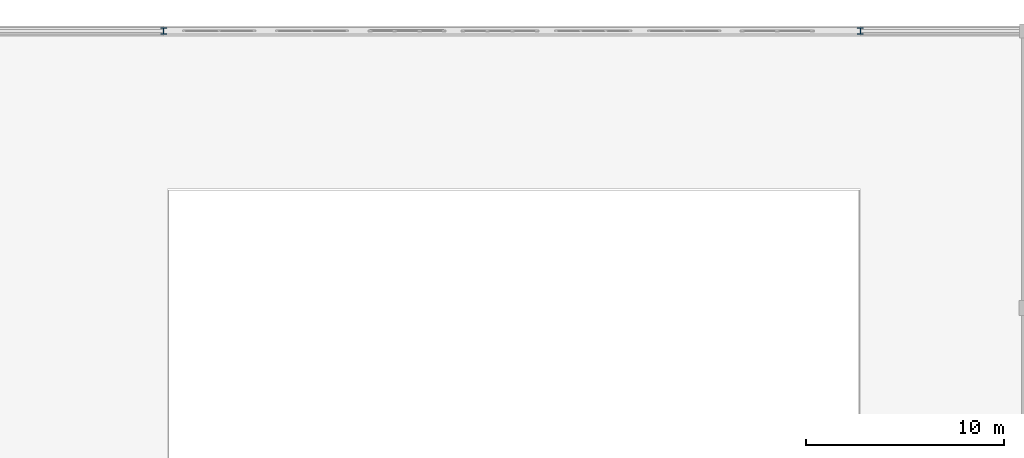
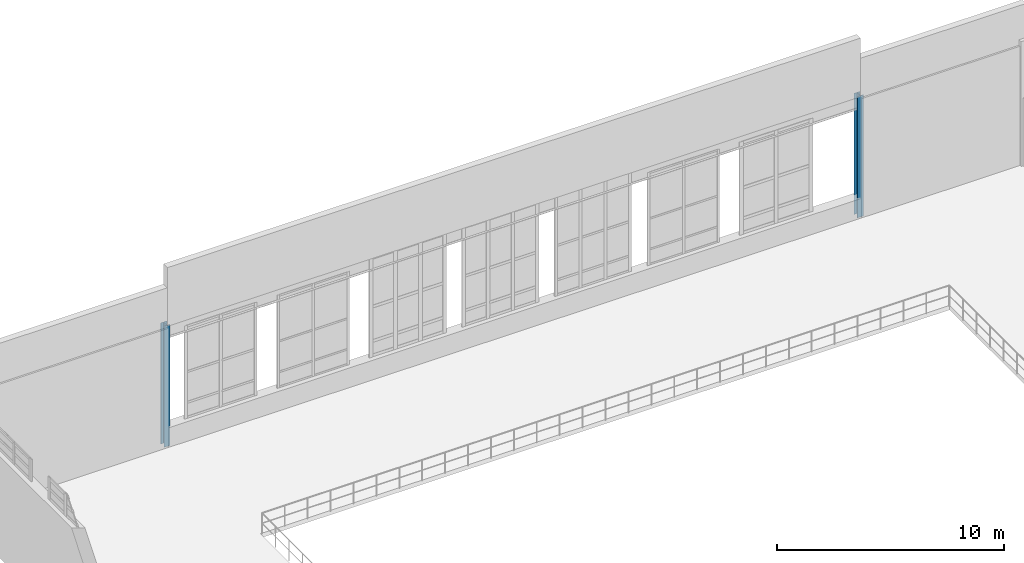
# One storey, part 7 of 197: 2 columns.
"""IFC4 building model written with IfcOpenShell, lengths in metres."""

import ifcopenshell
import ifcopenshell.guid

model = None  # the IFC model being written
_history = None  # IfcOwnerHistory: only IFC2X3 demands one
_inside = {}  # id of a spatial element -> (the spatial element, [elements in it])
_under = {}  # id of a project, library or spatial element -> (it, [spatial elements below it])
_declared = {}  # id of a project -> (the project, [libraries it declares])
_typed = {}  # id of a type object -> (the type object, [elements of that type])
_made_of = {}  # id of a material, layer set ... -> (it, [elements and type objects made of it])


def new_model(schema):
    """Start an empty IFC model of exactly this schema.

    Asked for "IFC4X3", IfcOpenShell would pick the latest addendum, in which some entities
    have other attributes; the version numbers below select the first issue.
    IFC2X3 requires an IfcOwnerHistory on every rooted entity: one is made here for all.
    """
    global model, _history
    if schema == "IFC4X3":
        model = ifcopenshell.file(schema_version=(4, 3, 0, 0))
    else:
        model = ifcopenshell.file(schema=schema)
    _inside.clear()
    _under.clear()
    _declared.clear()
    _typed.clear()
    _made_of.clear()
    _history = None
    if model.schema == "IFC2X3":
        org = make("IfcOrganization", Name="unknown")
        user = make(
            "IfcPersonAndOrganization",
            ThePerson=make("IfcPerson", FamilyName="unknown"),
            TheOrganization=org,
        )
        app = make(
            "IfcApplication",
            ApplicationDeveloper=org,
            Version="unknown",
            ApplicationFullName="unknown",
            ApplicationIdentifier="unknown",
        )
        _history = make(
            "IfcOwnerHistory",
            OwningUser=user,
            OwningApplication=app,
            ChangeAction="ADDED",
            CreationDate=0,
        )
    return model


def make(cls, **values):
    """One entity of the class cls with the attributes given. An attribute that is None is left unset."""
    return model.create_entity(
        cls, **{name: value for name, value in values.items() if value is not None}
    )


def rooted(cls, **values):
    """An entity with a GlobalId (a new one), such as an element, a storey or a relation."""
    return make(cls, GlobalId=ifcopenshell.guid.new(), OwnerHistory=_history, **values)


def si_unit(unit_type, name, prefix=None):
    """IfcSIUnit, for example si_unit("LENGTHUNIT", "METRE", prefix="MILLI")."""
    return make("IfcSIUnit", UnitType=unit_type, Prefix=prefix, Name=name)


def derived_unit(unit_type, elements):
    """IfcDerivedUnit: a product of units, each with its exponent."""
    return make(
        "IfcDerivedUnit",
        Elements=[
            make("IfcDerivedUnitElement", Unit=unit, Exponent=power)
            for unit, power in elements
        ],
        UnitType=unit_type,
    )


def assignment(units):
    """IfcUnitAssignment: the units of a project."""
    return None if units is None else make("IfcUnitAssignment", Units=units)


def point(xyz):
    """IfcCartesianPoint."""
    return None if xyz is None else make("IfcCartesianPoint", Coordinates=xyz)


def direction(xyz):
    """IfcDirection."""
    return None if xyz is None else make("IfcDirection", DirectionRatios=xyz)


def frame(location, z_axis=None, x_axis=None):
    """IfcAxis2Placement3D, a coordinate frame: its origin and axes. An axis left out is left unset."""
    return make(
        "IfcAxis2Placement3D",
        Location=point(location),
        Axis=direction(z_axis),
        RefDirection=direction(x_axis),
    )


def frame_2d(location, x_axis=None):
    """IfcAxis2Placement2D, a coordinate frame in the plane: its origin and x axis."""
    return make(
        "IfcAxis2Placement2D", Location=point(location), RefDirection=direction(x_axis)
    )


def origin():
    """The frame at (0, 0, 0) with its axes left unset."""
    return frame((0.0, 0.0, 0.0))


def origin_2d():
    """The frame at (0, 0) in the plane with its x axis left unset."""
    return frame_2d((0.0, 0.0))


def place(relative_to, where):
    """IfcLocalPlacement: puts the frame where relative to a parent placement (None: the world)."""
    return make(
        "IfcLocalPlacement", PlacementRelTo=relative_to, RelativePlacement=where
    )


def context(
    kind, dimensions, precision=None, world=None, true_north=None, identifier=None
):
    """IfcGeometricRepresentationContext, for example the 3D "Model" context."""
    return make(
        "IfcGeometricRepresentationContext",
        ContextIdentifier=identifier,
        ContextType=kind,
        CoordinateSpaceDimension=dimensions,
        Precision=precision,
        WorldCoordinateSystem=world,
        TrueNorth=true_north,
    )


def subcontext(parent, identifier, kind, view, scale=None):
    """IfcGeometricRepresentationSubContext, for example "Body" below "Model"."""
    return make(
        "IfcGeometricRepresentationSubContext",
        ContextIdentifier=identifier,
        ContextType=kind,
        ParentContext=parent,
        TargetScale=scale,
        TargetView=view,
    )


def project(units=None, contexts=None):
    """IfcProject with its units and contexts."""
    return rooted(
        "IfcProject",
        Name="project",
        RepresentationContexts=contexts,
        UnitsInContext=assignment(units),
    )


def spatial(cls, under=None, at=None, **own):
    """A site, building, storey or space (cls), placed at a placement, below another one or the project."""
    s = rooted(cls, ObjectPlacement=at, **own)
    if under is not None:
        _under.setdefault(under.id(), (under, []))[1].append(s)
    return s


def profile(cls, at=None, kind="AREA", **sizes):
    """A parametric profile (cls). Its sizes go by their IFC names, for example OverallWidth=200.0."""
    return make(cls, ProfileType=kind, Position=at, **sizes)


def i_section(**sizes):
    """IfcIShapeProfileDef."""
    return profile("IfcIShapeProfileDef", **sizes)


def extrude(swept, where, along, depth):
    """IfcExtrudedAreaSolid: the profile swept, set in the frame where, extruded along a direction by depth."""
    return make(
        "IfcExtrudedAreaSolid",
        SweptArea=swept,
        Position=where,
        ExtrudedDirection=direction(along),
        Depth=depth,
    )


def shape(context_of_items, identifier, shape_type, items):
    """IfcShapeRepresentation: the items that make up one representation, for example the "Body"."""
    return make(
        "IfcShapeRepresentation",
        ContextOfItems=context_of_items,
        RepresentationIdentifier=identifier,
        RepresentationType=shape_type,
        Items=items,
    )


def material(Name=None, Category=None):
    """IfcMaterial."""
    return make("IfcMaterial", Name=Name, Category=Category)


def material_profile(
    of_material, cross_section, Name=None, Category=None, Priority=None
):
    """IfcMaterialProfile: a cross section and its material."""
    return make(
        "IfcMaterialProfile",
        Name=Name,
        Material=of_material,
        Profile=cross_section,
        Priority=Priority,
        Category=Category,
    )


def profile_set(profiles, Name=None, composite=None):
    """IfcMaterialProfileSet."""
    return make(
        "IfcMaterialProfileSet",
        Name=Name,
        MaterialProfiles=profiles,
        CompositeProfile=composite,
    )


def made_of(thing, what):
    """Note that an element or type object is made of a material, layer set ...; save() writes the relation."""
    if what is not None:
        _made_of.setdefault(what.id(), (what, []))[1].append(thing)
    return thing


def type_object(cls, material=None, **own):
    """A type object (cls), such as IfcWallType, which elements share."""
    return made_of(rooted(cls, **own), material)


def element(
    cls,
    number,
    at=None,
    inside=None,
    cuts=None,
    type_object=None,
    material=None,
    context=None,
    identifier="Body",
    shape_type=None,
    held_by="IfcProductDefinitionShape",
    body=None,
    shapes=None,
    **own,
):
    """One element of the class cls, such as IfcWall. Its Tag is "e" and its number.

    at: its placement. inside: the storey or other place that contains it. cuts: it is an
    opening in that element (IfcRelVoidsElement). A single representation is given by context,
    identifier, shape_type and body (its items); several are given by shapes. held_by: the class
    of the entity that holds the representations. save() writes the other relations.
    """
    e = rooted(cls, Tag="e%d" % number, ObjectPlacement=at, **own)
    if body is not None:
        shapes = [shape(context, identifier, shape_type, body)]
    if shapes is not None:
        e.Representation = make(held_by, Representations=shapes)
    if inside is not None:
        _inside.setdefault(inside.id(), (inside, []))[1].append(e)
    if cuts is not None:
        rooted(
            "IfcRelVoidsElement", RelatingBuildingElement=cuts, RelatedOpeningElement=e
        )
    if type_object is not None:
        _typed.setdefault(type_object.id(), (type_object, []))[1].append(e)
    return made_of(e, material)


def aggregate(whole, parts):
    """IfcRelAggregates: a whole, such as a stair, and the parts it consists of."""
    return rooted("IfcRelAggregates", RelatingObject=whole, RelatedObjects=parts)


def save(model, path):
    """Write the relations noted so far, then the file.

    IfcRelAggregates (storeys below a building ...), IfcRelContainedInSpatialStructure (elements
    in a storey), IfcRelDefinesByType, IfcRelAssociatesMaterial and IfcRelDeclares: one each for
    every whole, place, type object, material and project.
    """
    for whole, parts in _under.values():
        aggregate(whole, parts)
    for where, things in _inside.values():
        rooted(
            "IfcRelContainedInSpatialStructure",
            RelatedElements=things,
            RelatingStructure=where,
        )
    for kind, things in _typed.values():
        rooted("IfcRelDefinesByType", RelatedObjects=things, RelatingType=kind)
    for what, things in _made_of.values():
        rooted("IfcRelAssociatesMaterial", RelatedObjects=things, RelatingMaterial=what)
    for by, libraries in _declared.values():
        rooted("IfcRelDeclares", RelatingContext=by, RelatedDefinitions=libraries)
    model.write(path)


model = new_model("IFC4")

# Units and contexts
model_context = context("Model", 3, precision=1e-05, world=origin(), true_north=direction((0.0, 1.0)))
body_context = subcontext(model_context, "Body", "Model", "MODEL_VIEW")
ifc_project = project(units=[si_unit("LENGTHUNIT", "METRE"), si_unit("AREAUNIT", "SQUARE_METRE"), si_unit("VOLUMEUNIT", "CUBIC_METRE"), si_unit("PLANEANGLEUNIT", "RADIAN"), si_unit("MASSUNIT", "GRAM", prefix="KILO"), derived_unit("THERMALTRANSMITTANCEUNIT", [(si_unit("POWERUNIT", "WATT"), 1), (si_unit("LENGTHUNIT", "METRE"), -2), (si_unit("THERMODYNAMICTEMPERATUREUNIT", "KELVIN"), -1)])], contexts=[model_context])

# Site, building, storey
site_placement = place(None, origin())
site = spatial("IfcSite", under=ifc_project, at=site_placement, CompositionType="ELEMENT")
building_placement = place(site_placement, origin())
building = spatial("IfcBuilding", under=site, at=building_placement, Name="Almenara Railside Exhibition Hall", CompositionType="ELEMENT")
storey_placement = place(building_placement, frame((0.0, 0.0, 5.39990234375)))
storey = spatial("IfcBuildingStorey", under=building, at=storey_placement, Name="L01", CompositionType="ELEMENT", Elevation=5.39990234375)

# Columns
ifc_material = material(Name="Structural steel S355JR", Category="steel")
ifc_material_profile = material_profile(ifc_material, i_section(OverallWidth=0.307373046875, OverallDepth=0.314453125, WebThickness=0.011962890625, FlangeThickness=0.018798828125, FilletRadius=0.01513671875, at=origin_2d()), Name="UC 305x305x118")
ifc_profile_set = profile_set([ifc_material_profile], Name="Structural steel S355JR")
column_type = type_object("IfcColumnType", Name="Steel Column UC 305x305x118 S355JR", PredefinedType="COLUMN", material=ifc_profile_set)
for number, where, z_axis, x_axis, name in (
    (1, (148.39990234375, 132.0, 0.0), (0.0, 0.0, 1.0), (1.0, 0.0, 0.0), "Column 0134"),
    (2, (183.60009765625, 132.0, 0.0), (0.0, 0.0, 1.0), (1.0, 0.0, 0.0), "Column 0136"),
):
    element("IfcColumn", number, at=place(storey_placement, frame(where, z_axis=z_axis, x_axis=x_axis)), inside=storey, type_object=column_type, Name=name, PredefinedType="COLUMN", context=body_context, shape_type="SweptSolid", body=[
        extrude(i_section(OverallWidth=0.307373046875, OverallDepth=0.314453125, WebThickness=0.011962890625, FlangeThickness=0.018798828125, FilletRadius=0.01513671875, at=origin_2d()), origin(), (0.0, 0.0, 1.0), 6.5),
    ])

save(model, "model.ifc")
